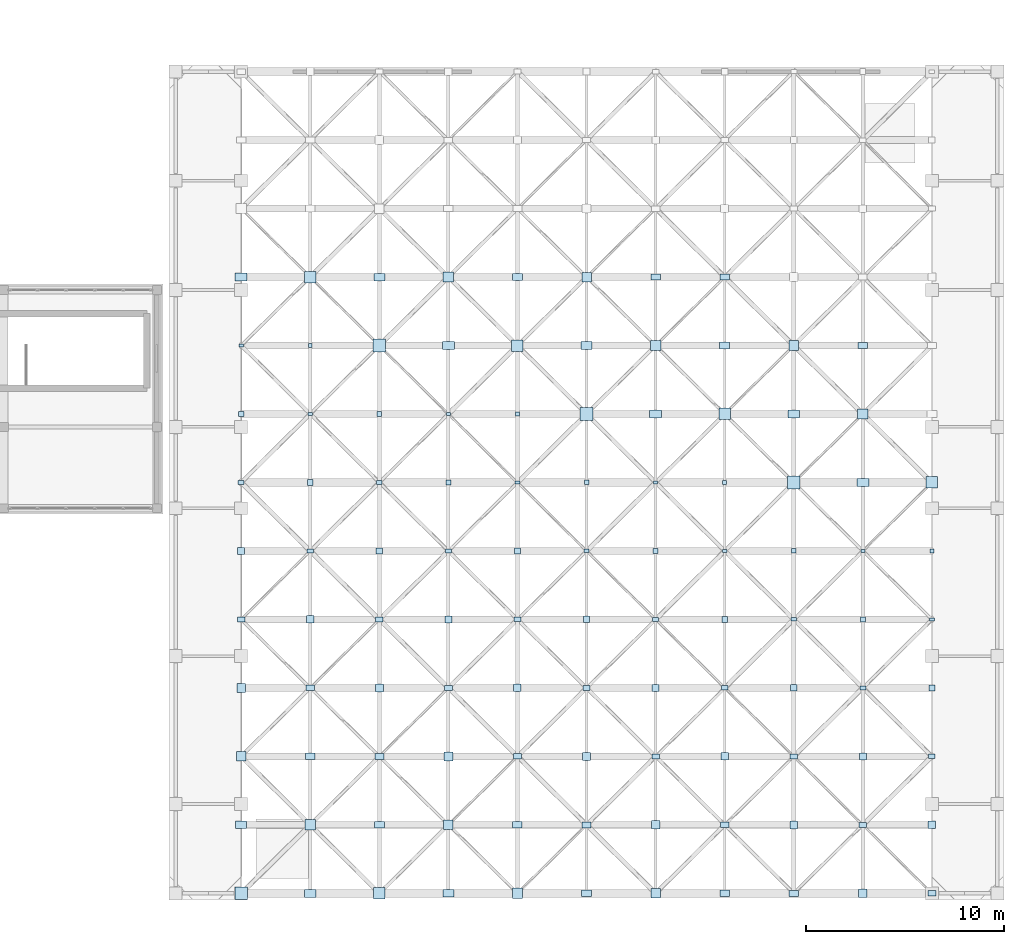
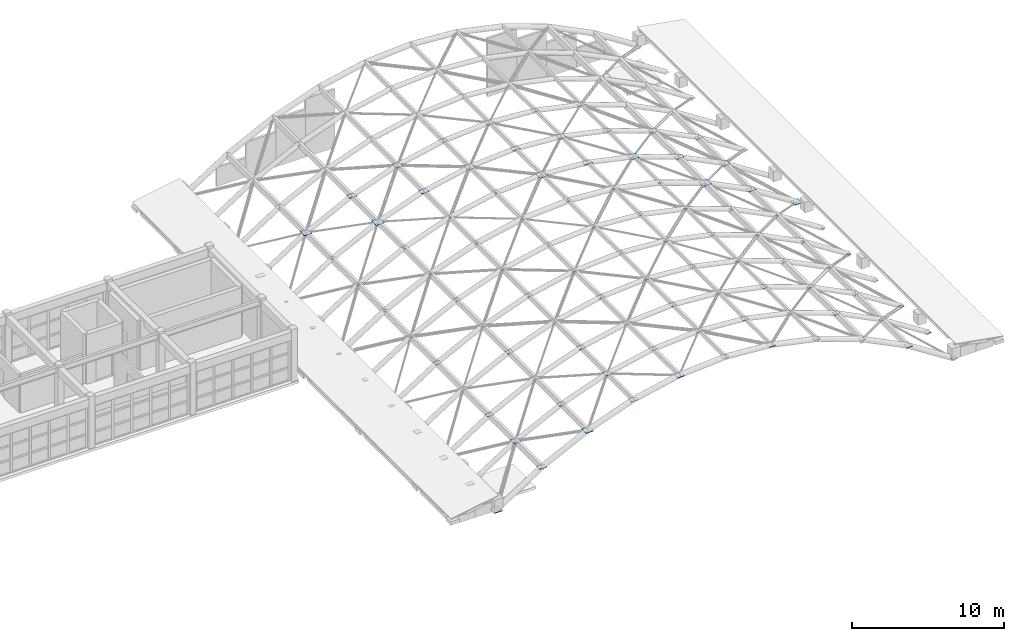
# One storey, part 44 of 52: 105 plates.
"""IFC4 building model written with IfcOpenShell, lengths in metres."""

from ifc_helpers import new_model, si_unit, direction, frame, origin, origin_2d, place, context, subcontext, project, spatial, rectangle, extrude, material, layer, layer_set, type_object, element, save


model = new_model("IFC4")

# Units and contexts
model_context = context("Model", 3, precision=1e-05, world=origin(), true_north=direction((0.0, 1.0)))
body_context = subcontext(model_context, "Body", "Model", "MODEL_VIEW")
ifc_project = project(units=[si_unit("LENGTHUNIT", "METRE"), si_unit("AREAUNIT", "SQUARE_METRE"), si_unit("VOLUMEUNIT", "CUBIC_METRE"), si_unit("PLANEANGLEUNIT", "RADIAN"), si_unit("MASSUNIT", "GRAM", prefix="KILO")], contexts=[model_context])

# Site, building, storey
site_placement = place(None, origin())
site = spatial("IfcSite", under=ifc_project, at=site_placement, CompositionType="ELEMENT")
building_placement = place(site_placement, origin())
building = spatial("IfcBuilding", under=site, at=building_placement, Name="Candilejo Ridge Gondola Terminal", CompositionType="ELEMENT")
storey_placement = place(building_placement, frame((0.0, 0.0, 18.60009765625)))
storey = spatial("IfcBuildingStorey", under=building, at=storey_placement, Name="L04", CompositionType="ELEMENT", Elevation=18.60009765625)

# Plates
ifc_material_1 = material(Name="Steel ASTM A572 Grade 50", Category="steel")
ifc_layer_1 = layer(ifc_material_1, 0.011962890625)
ifc_layer_set_1 = layer_set([ifc_layer_1], Name="STR-NODE-PLATE-200X200X12")
plate_type_1 = type_object("IfcPlateType", Name="STR-NODE-PLATE-200X200X12", PredefinedType="USERDEFINED", material=ifc_layer_set_1)
for number, where, z_axis, x_axis, name in (
    (1, (172.0, 23.550048828125, -0.2060546875), (0.0, 0.0, 1.0), (1.0, 0.0, 0.0), "Diagrid steel node cap plate 090"),
    (2, (161.56005859375, 27.0, 5.001953125), (0.0, 0.0, 1.0), (1.0, 0.0, 0.0), "Diagrid steel node cap plate 098"),
    (3, (151.1201171875, 30.449951171875, 5.74609375), (0.0, 0.0, 1.0), (1.0, 0.0, 0.0), "Diagrid steel node cap plate 106"),
    (4, (140.679931640625, 33.89990234375, 2.02587890625), (0.0, 0.0, 1.0), (1.0, 0.0, 0.0), "Diagrid steel node cap plate 114"),
):
    element("IfcPlate", number, at=place(storey_placement, frame(where, z_axis=z_axis, x_axis=x_axis)), inside=storey, type_object=plate_type_1, Name=name, ObjectType="NODE PLATE", PredefinedType="USERDEFINED", context=body_context, shape_type="SweptSolid", body=[
        extrude(rectangle(XDim=0.199951171875, YDim=0.199951171875, at=origin_2d()), origin(), (0.0, 0.0, 1.0), 0.011962890625),
    ])
ifc_material_2 = material(Name="Steel ASTM A572 Grade 50", Category="steel")
ifc_layer_2 = layer(ifc_material_2, 0.011962890625)
ifc_layer_set_2 = layer_set([ifc_layer_2], Name="STR-NODE-PLATE-210X140X12")
plate_type_2 = type_object("IfcPlateType", Name="STR-NODE-PLATE-210X140X12", PredefinedType="USERDEFINED", material=ifc_layer_set_2)
for number, where, z_axis, x_axis, name in (
    (5, (168.52001953125, 23.550048828125, 2.02587890625), (0.0, 0.0, 1.0), (1.0, 0.0, 0.0), "Diagrid steel node cap plate 089"),
    (6, (158.080078125, 27.0, 5.74609375), (0.0, 0.0, 1.0), (1.0, 0.0, 0.0), "Diagrid steel node cap plate 097"),
    (7, (147.639892578125, 30.449951171875, 5.001953125), (0.0, 0.0, 1.0), (1.0, 0.0, 0.0), "Diagrid steel node cap plate 105"),
    (8, (137.199951171875, 33.89990234375, -0.2060546875), (0.0, 0.0, 1.0), (1.0, 0.0, 0.0), "Diagrid steel node cap plate 113"),
):
    element("IfcPlate", number, at=place(storey_placement, frame(where, z_axis=z_axis, x_axis=x_axis)), inside=storey, type_object=plate_type_2, Name=name, ObjectType="NODE PLATE", PredefinedType="USERDEFINED", context=body_context, shape_type="SweptSolid", body=[
        extrude(rectangle(XDim=0.2099609375, YDim=0.139892578125, at=origin_2d()), origin(), (0.0, 0.0, 1.0), 0.011962890625),
    ])
ifc_material_3 = material(Name="Steel ASTM A572 Grade 50", Category="steel")
ifc_layer_3 = layer(ifc_material_3, 0.013916015625)
ifc_layer_set_3 = layer_set([ifc_layer_3], Name="STR-NODE-PLATE-230X230X14")
plate_type_3 = type_object("IfcPlateType", Name="STR-NODE-PLATE-230X230X14", PredefinedType="USERDEFINED", material=ifc_layer_set_3)
for number, where, z_axis, x_axis, name in (
    (9, (165.0400390625, 23.550048828125, 3.7607421875), (0.0, 0.0, 1.0), (1.0, 0.0, 0.0), "Diagrid steel node cap plate 088"),
    (10, (154.60009765625, 27.0, 5.9931640625), (0.0, 0.0, 1.0), (1.0, 0.0, 0.0), "Diagrid steel node cap plate 096"),
    (11, (144.159912109375, 30.449951171875, 3.7607421875), (0.0, 0.0, 1.0), (1.0, 0.0, 0.0), "Diagrid steel node cap plate 104"),
):
    element("IfcPlate", number, at=place(storey_placement, frame(where, z_axis=z_axis, x_axis=x_axis)), inside=storey, type_object=plate_type_3, Name=name, ObjectType="NODE PLATE", PredefinedType="USERDEFINED", context=body_context, shape_type="SweptSolid", body=[
        extrude(rectangle(XDim=0.22998046875, YDim=0.22998046875, at=origin_2d()), origin(), (0.0, 0.0, 1.0), 0.013916015625),
    ])
ifc_material_4 = material(Name="Steel ASTM A572 Grade 50", Category="steel")
ifc_layer_4 = layer(ifc_material_4, 0.013916015625)
ifc_layer_set_4 = layer_set([ifc_layer_4], Name="STR-NODE-PLATE-240X160X14")
plate_type_4 = type_object("IfcPlateType", Name="STR-NODE-PLATE-240X160X14", PredefinedType="USERDEFINED", material=ifc_layer_set_4)
for number, where, z_axis, x_axis, name in (
    (12, (172.0, 20.10009765625, -0.20703125), (0.0, 0.0, 1.0), (1.0, 0.0, 0.0), "Diagrid steel node cap plate 079"),
    (13, (161.56005859375, 23.550048828125, 5.0009765625), (0.0, 0.0, 1.0), (1.0, 0.0, 0.0), "Diagrid steel node cap plate 087"),
    (14, (151.1201171875, 27.0, 5.7451171875), (0.0, 0.0, 1.0), (1.0, 0.0, 0.0), "Diagrid steel node cap plate 095"),
    (15, (140.679931640625, 30.449951171875, 2.02490234375), (0.0, 0.0, 1.0), (1.0, 0.0, 0.0), "Diagrid steel node cap plate 103"),
):
    element("IfcPlate", number, at=place(storey_placement, frame(where, z_axis=z_axis, x_axis=x_axis)), inside=storey, type_object=plate_type_4, Name=name, ObjectType="NODE PLATE", PredefinedType="USERDEFINED", context=body_context, shape_type="SweptSolid", body=[
        extrude(rectangle(XDim=0.239990234375, YDim=0.159912109375, at=origin_2d()), origin(), (0.0, 0.0, 1.0), 0.013916015625),
    ])
ifc_material_5 = material(Name="Steel ASTM A572 Grade 50", Category="steel")
ifc_layer_5 = layer(ifc_material_5, 0.01611328125)
ifc_layer_set_5 = layer_set([ifc_layer_5], Name="STR-NODE-PLATE-260X260X16")
plate_type_5 = type_object("IfcPlateType", Name="STR-NODE-PLATE-260X260X16", PredefinedType="USERDEFINED", material=ifc_layer_set_5)
for number, where, z_axis, x_axis, name in (
    (16, (168.52001953125, 20.10009765625, 2.02392578125), (0.0, 0.0, 1.0), (1.0, 0.0, 0.0), "Diagrid steel node cap plate 078"),
    (17, (158.080078125, 23.550048828125, 5.743896484375), (0.0, 0.0, 1.0), (1.0, 0.0, 0.0), "Diagrid steel node cap plate 086"),
    (18, (147.639892578125, 27.0, 4.999755859375), (0.0, 0.0, 1.0), (1.0, 0.0, 0.0), "Diagrid steel node cap plate 094"),
    (19, (137.199951171875, 30.449951171875, -0.208251953125), (0.0, 0.0, 1.0), (1.0, 0.0, 0.0), "Diagrid steel node cap plate 102"),
):
    element("IfcPlate", number, at=place(storey_placement, frame(where, z_axis=z_axis, x_axis=x_axis)), inside=storey, type_object=plate_type_5, Name=name, ObjectType="NODE PLATE", PredefinedType="USERDEFINED", context=body_context, shape_type="SweptSolid", body=[
        extrude(rectangle(XDim=0.260009765625, YDim=0.260009765625, at=origin_2d()), origin(), (0.0, 0.0, 1.0), 0.01611328125),
    ])
ifc_material_6 = material(Name="Steel ASTM A572 Grade 50", Category="steel")
ifc_layer_6 = layer(ifc_material_6, 0.01611328125)
ifc_layer_set_6 = layer_set([ifc_layer_6], Name="STR-NODE-PLATE-270X180X16")
plate_type_6 = type_object("IfcPlateType", Name="STR-NODE-PLATE-270X180X16", PredefinedType="USERDEFINED", material=ifc_layer_set_6)
for number, where, z_axis, x_axis, name in (
    (20, (165.0400390625, 20.10009765625, 3.759765625), (0.0, 0.0, 1.0), (1.0, 0.0, 0.0), "Diagrid steel node cap plate 077"),
    (21, (154.60009765625, 23.550048828125, 5.991943359375), (0.0, 0.0, 1.0), (1.0, 0.0, 0.0), "Diagrid steel node cap plate 085"),
    (22, (144.159912109375, 27.0, 3.759765625), (0.0, 0.0, 1.0), (1.0, 0.0, 0.0), "Diagrid steel node cap plate 093"),
):
    element("IfcPlate", number, at=place(storey_placement, frame(where, z_axis=z_axis, x_axis=x_axis)), inside=storey, type_object=plate_type_6, Name=name, ObjectType="NODE PLATE", PredefinedType="USERDEFINED", context=body_context, shape_type="SweptSolid", body=[
        extrude(rectangle(XDim=0.27001953125, YDim=0.179931640625, at=origin_2d()), origin(), (0.0, 0.0, 1.0), 0.01611328125),
    ])
ifc_material_7 = material(Name="Steel ASTM A572 Grade 50", Category="steel")
ifc_layer_7 = layer(ifc_material_7, 0.01611328125)
ifc_layer_set_7 = layer_set([ifc_layer_7], Name="STR-NODE-PLATE-290X290X16")
plate_type_7 = type_object("IfcPlateType", Name="STR-NODE-PLATE-290X290X16", PredefinedType="USERDEFINED", material=ifc_layer_set_7)
for number, where, z_axis, x_axis, name in (
    (23, (172.0, 16.64990234375, -0.208251953125), (0.0, 0.0, 1.0), (1.0, 0.0, 0.0), "Diagrid steel node cap plate 068"),
    (24, (161.56005859375, 20.10009765625, 4.999755859375), (0.0, 0.0, 1.0), (1.0, 0.0, 0.0), "Diagrid steel node cap plate 076"),
    (25, (151.1201171875, 23.550048828125, 5.743896484375), (0.0, 0.0, 1.0), (1.0, 0.0, 0.0), "Diagrid steel node cap plate 084"),
    (26, (140.679931640625, 27.0, 2.02392578125), (0.0, 0.0, 1.0), (1.0, 0.0, 0.0), "Diagrid steel node cap plate 092"),
):
    element("IfcPlate", number, at=place(storey_placement, frame(where, z_axis=z_axis, x_axis=x_axis)), inside=storey, type_object=plate_type_7, Name=name, ObjectType="NODE PLATE", PredefinedType="USERDEFINED", context=body_context, shape_type="SweptSolid", body=[
        extrude(rectangle(XDim=0.2900390625, YDim=0.2900390625, at=origin_2d()), origin(), (0.0, 0.0, 1.0), 0.01611328125),
    ])
ifc_material_8 = material(Name="Steel ASTM A572 Grade 50", Category="steel")
ifc_layer_8 = layer(ifc_material_8, 0.01611328125)
ifc_layer_set_8 = layer_set([ifc_layer_8], Name="STR-NODE-PLATE-300X200X16")
plate_type_8 = type_object("IfcPlateType", Name="STR-NODE-PLATE-300X200X16", PredefinedType="USERDEFINED", material=ifc_layer_set_8)
for number, where, z_axis, x_axis, name in (
    (27, (168.52001953125, 16.64990234375, 2.02392578125), (0.0, 0.0, 1.0), (1.0, 0.0, 0.0), "Diagrid steel node cap plate 067"),
    (28, (158.080078125, 20.10009765625, 5.743896484375), (0.0, 0.0, 1.0), (1.0, 0.0, 0.0), "Diagrid steel node cap plate 075"),
    (29, (147.639892578125, 23.550048828125, 4.999755859375), (0.0, 0.0, 1.0), (1.0, 0.0, 0.0), "Diagrid steel node cap plate 083"),
    (30, (137.199951171875, 27.0, -0.208251953125), (0.0, 0.0, 1.0), (1.0, 0.0, 0.0), "Diagrid steel node cap plate 091"),
):
    element("IfcPlate", number, at=place(storey_placement, frame(where, z_axis=z_axis, x_axis=x_axis)), inside=storey, type_object=plate_type_8, Name=name, ObjectType="NODE PLATE", PredefinedType="USERDEFINED", context=body_context, shape_type="SweptSolid", body=[
        extrude(rectangle(XDim=0.300048828125, YDim=0.199951171875, at=origin_2d()), origin(), (0.0, 0.0, 1.0), 0.01611328125),
    ])
ifc_material_9 = material(Name="Steel ASTM A572 Grade 50", Category="steel")
ifc_layer_9 = layer(ifc_material_9, 0.01806640625)
ifc_layer_set_9 = layer_set([ifc_layer_9], Name="STR-NODE-PLATE-320X320X18")
plate_type_9 = type_object("IfcPlateType", Name="STR-NODE-PLATE-320X320X18", PredefinedType="USERDEFINED", material=ifc_layer_set_9)
for number, where, z_axis, x_axis, name in (
    (31, (165.0400390625, 16.64990234375, 3.7587890625), (0.0, 0.0, 1.0), (1.0, 0.0, 0.0), "Diagrid steel node cap plate 066"),
    (32, (154.60009765625, 20.10009765625, 5.990966796875), (0.0, 0.0, 1.0), (1.0, 0.0, 0.0), "Diagrid steel node cap plate 074"),
    (33, (144.159912109375, 23.550048828125, 3.7587890625), (0.0, 0.0, 1.0), (1.0, 0.0, 0.0), "Diagrid steel node cap plate 082"),
):
    element("IfcPlate", number, at=place(storey_placement, frame(where, z_axis=z_axis, x_axis=x_axis)), inside=storey, type_object=plate_type_9, Name=name, ObjectType="NODE PLATE", PredefinedType="USERDEFINED", context=body_context, shape_type="SweptSolid", body=[
        extrude(rectangle(XDim=0.320068359375, YDim=0.320068359375, at=origin_2d()), origin(), (0.0, 0.0, 1.0), 0.01806640625),
    ])
ifc_material_10 = material(Name="Steel ASTM A572 Grade 50", Category="steel")
ifc_layer_10 = layer(ifc_material_10, 0.01806640625)
ifc_layer_set_10 = layer_set([ifc_layer_10], Name="STR-NODE-PLATE-330X220X18")
plate_type_10 = type_object("IfcPlateType", Name="STR-NODE-PLATE-330X220X18", PredefinedType="USERDEFINED", material=ifc_layer_set_10)
for number, where, z_axis, x_axis, name in (
    (34, (172.0, 13.199951171875, -0.209228515625), (0.0, 0.0, 1.0), (1.0, 0.0, 0.0), "Diagrid steel node cap plate 057"),
    (35, (161.56005859375, 16.64990234375, 4.998779296875), (0.0, 0.0, 1.0), (1.0, 0.0, 0.0), "Diagrid steel node cap plate 065"),
    (36, (151.1201171875, 20.10009765625, 5.742919921875), (0.0, 0.0, 1.0), (1.0, 0.0, 0.0), "Diagrid steel node cap plate 073"),
    (37, (140.679931640625, 23.550048828125, 2.02294921875), (0.0, 0.0, 1.0), (1.0, 0.0, 0.0), "Diagrid steel node cap plate 081"),
):
    element("IfcPlate", number, at=place(storey_placement, frame(where, z_axis=z_axis, x_axis=x_axis)), inside=storey, type_object=plate_type_10, Name=name, ObjectType="NODE PLATE", PredefinedType="USERDEFINED", context=body_context, shape_type="SweptSolid", body=[
        extrude(rectangle(XDim=0.330078125, YDim=0.219970703125, at=origin_2d()), origin(), (0.0, 0.0, 1.0), 0.01806640625),
    ])
ifc_material_11 = material(Name="Steel ASTM A572 Grade 50", Category="steel")
ifc_layer_11 = layer(ifc_material_11, 0.01806640625)
ifc_layer_set_11 = layer_set([ifc_layer_11], Name="STR-NODE-PLATE-350X350X18")
plate_type_11 = type_object("IfcPlateType", Name="STR-NODE-PLATE-350X350X18", PredefinedType="USERDEFINED", material=ifc_layer_set_11)
for number, where, z_axis, x_axis, name in (
    (38, (168.52001953125, 13.199951171875, 2.02294921875), (0.0, 0.0, 1.0), (1.0, 0.0, 0.0), "Diagrid steel node cap plate 056"),
    (39, (158.080078125, 16.64990234375, 5.742919921875), (0.0, 0.0, 1.0), (1.0, 0.0, 0.0), "Diagrid steel node cap plate 064"),
    (40, (147.639892578125, 20.10009765625, 4.998779296875), (0.0, 0.0, 1.0), (1.0, 0.0, 0.0), "Diagrid steel node cap plate 072"),
    (41, (137.199951171875, 23.550048828125, -0.209228515625), (0.0, 0.0, 1.0), (1.0, 0.0, 0.0), "Diagrid steel node cap plate 080"),
):
    element("IfcPlate", number, at=place(storey_placement, frame(where, z_axis=z_axis, x_axis=x_axis)), inside=storey, type_object=plate_type_11, Name=name, ObjectType="NODE PLATE", PredefinedType="USERDEFINED", context=body_context, shape_type="SweptSolid", body=[
        extrude(rectangle(XDim=0.35009765625, YDim=0.35009765625, at=origin_2d()), origin(), (0.0, 0.0, 1.0), 0.01806640625),
    ])
ifc_material_12 = material(Name="Steel ASTM A572 Grade 50", Category="steel")
ifc_layer_12 = layer(ifc_material_12, 0.02001953125)
ifc_layer_set_12 = layer_set([ifc_layer_12], Name="STR-NODE-PLATE-360X240X20")
plate_type_12 = type_object("IfcPlateType", Name="STR-NODE-PLATE-360X240X20", PredefinedType="USERDEFINED", material=ifc_layer_set_12)
for number, where, z_axis, x_axis, name in (
    (42, (165.0400390625, 13.199951171875, 3.7578125), (0.0, 0.0, 1.0), (1.0, 0.0, 0.0), "Diagrid steel node cap plate 055"),
    (43, (154.60009765625, 16.64990234375, 5.989990234375), (0.0, 0.0, 1.0), (1.0, 0.0, 0.0), "Diagrid steel node cap plate 063"),
    (44, (144.159912109375, 20.10009765625, 3.7578125), (0.0, 0.0, 1.0), (1.0, 0.0, 0.0), "Diagrid steel node cap plate 071"),
):
    element("IfcPlate", number, at=place(storey_placement, frame(where, z_axis=z_axis, x_axis=x_axis)), inside=storey, type_object=plate_type_12, Name=name, ObjectType="NODE PLATE", PredefinedType="USERDEFINED", context=body_context, shape_type="SweptSolid", body=[
        extrude(rectangle(XDim=0.360107421875, YDim=0.239990234375, at=origin_2d()), origin(), (0.0, 0.0, 1.0), 0.02001953125),
    ])
ifc_material_13 = material(Name="Steel ASTM A572 Grade 50", Category="steel")
ifc_layer_13 = layer(ifc_material_13, 0.02001953125)
ifc_layer_set_13 = layer_set([ifc_layer_13], Name="STR-NODE-PLATE-380X380X20")
plate_type_13 = type_object("IfcPlateType", Name="STR-NODE-PLATE-380X380X20", PredefinedType="USERDEFINED", material=ifc_layer_set_13)
for number, where, z_axis, x_axis, name in (
    (45, (172.0, 9.75, -0.210205078125), (0.0, 0.0, 1.0), (1.0, 0.0, 0.0), "Diagrid steel node cap plate 046"),
    (46, (161.56005859375, 13.199951171875, 4.997802734375), (0.0, 0.0, 1.0), (1.0, 0.0, 0.0), "Diagrid steel node cap plate 054"),
    (47, (151.1201171875, 16.64990234375, 5.741943359375), (0.0, 0.0, 1.0), (1.0, 0.0, 0.0), "Diagrid steel node cap plate 062"),
    (48, (140.679931640625, 20.10009765625, 2.02197265625), (0.0, 0.0, 1.0), (1.0, 0.0, 0.0), "Diagrid steel node cap plate 070"),
):
    element("IfcPlate", number, at=place(storey_placement, frame(where, z_axis=z_axis, x_axis=x_axis)), inside=storey, type_object=plate_type_13, Name=name, ObjectType="NODE PLATE", PredefinedType="USERDEFINED", context=body_context, shape_type="SweptSolid", body=[
        extrude(rectangle(XDim=0.3798828125, YDim=0.3798828125, at=origin_2d()), origin(), (0.0, 0.0, 1.0), 0.02001953125),
    ])
ifc_material_14 = material(Name="Steel ASTM A572 Grade 50", Category="steel")
ifc_layer_14 = layer(ifc_material_14, 0.02001953125)
ifc_layer_set_14 = layer_set([ifc_layer_14], Name="STR-NODE-PLATE-390X260X20")
plate_type_14 = type_object("IfcPlateType", Name="STR-NODE-PLATE-390X260X20", PredefinedType="USERDEFINED", material=ifc_layer_set_14)
for number, where, z_axis, x_axis, name in (
    (49, (168.52001953125, 9.75, 2.02197265625), (0.0, 0.0, 1.0), (1.0, 0.0, 0.0), "Diagrid steel node cap plate 045"),
    (50, (158.080078125, 13.199951171875, 5.741943359375), (0.0, 0.0, 1.0), (1.0, 0.0, 0.0), "Diagrid steel node cap plate 053"),
    (51, (147.639892578125, 16.64990234375, 4.997802734375), (0.0, 0.0, 1.0), (1.0, 0.0, 0.0), "Diagrid steel node cap plate 061"),
    (52, (137.199951171875, 20.10009765625, -0.210205078125), (0.0, 0.0, 1.0), (1.0, 0.0, 0.0), "Diagrid steel node cap plate 069"),
):
    element("IfcPlate", number, at=place(storey_placement, frame(where, z_axis=z_axis, x_axis=x_axis)), inside=storey, type_object=plate_type_14, Name=name, ObjectType="NODE PLATE", PredefinedType="USERDEFINED", context=body_context, shape_type="SweptSolid", body=[
        extrude(rectangle(XDim=0.389892578125, YDim=0.260009765625, at=origin_2d()), origin(), (0.0, 0.0, 1.0), 0.02001953125),
    ])
ifc_material_15 = material(Name="Steel ASTM A572 Grade 50", Category="steel")
ifc_layer_15 = layer(ifc_material_15, 0.02197265625)
ifc_layer_set_15 = layer_set([ifc_layer_15], Name="STR-NODE-PLATE-400X400X22")
plate_type_15 = type_object("IfcPlateType", Name="STR-NODE-PLATE-400X400X22", PredefinedType="USERDEFINED", material=ifc_layer_set_15)
for number, where, z_axis, x_axis, name in (
    (53, (165.0400390625, 9.75, 3.7568359375), (0.0, 0.0, 1.0), (1.0, 0.0, 0.0), "Diagrid steel node cap plate 044"),
    (54, (154.60009765625, 13.199951171875, 5.989013671875), (0.0, 0.0, 1.0), (1.0, 0.0, 0.0), "Diagrid steel node cap plate 052"),
    (55, (144.159912109375, 16.64990234375, 3.7568359375), (0.0, 0.0, 1.0), (1.0, 0.0, 0.0), "Diagrid steel node cap plate 060"),
):
    element("IfcPlate", number, at=place(storey_placement, frame(where, z_axis=z_axis, x_axis=x_axis)), inside=storey, type_object=plate_type_15, Name=name, ObjectType="NODE PLATE", PredefinedType="USERDEFINED", context=body_context, shape_type="SweptSolid", body=[
        extrude(rectangle(XDim=0.39990234375, YDim=0.39990234375, at=origin_2d()), origin(), (0.0, 0.0, 1.0), 0.02197265625),
    ])
ifc_material_16 = material(Name="Steel ASTM A572 Grade 50", Category="steel")
ifc_layer_16 = layer(ifc_material_16, 0.02197265625)
ifc_layer_set_16 = layer_set([ifc_layer_16], Name="STR-NODE-PLATE-420X280X22")
plate_type_16 = type_object("IfcPlateType", Name="STR-NODE-PLATE-420X280X22", PredefinedType="USERDEFINED", material=ifc_layer_set_16)
for number, where, z_axis, x_axis, name in (
    (56, (172.0, 6.300048828125, -0.211181640625), (0.0, 0.0, 1.0), (1.0, 0.0, 0.0), "Diagrid steel node cap plate 035"),
    (57, (161.56005859375, 9.75, 4.996826171875), (0.0, 0.0, 1.0), (1.0, 0.0, 0.0), "Diagrid steel node cap plate 043"),
    (58, (151.1201171875, 13.199951171875, 5.740966796875), (0.0, 0.0, 1.0), (1.0, 0.0, 0.0), "Diagrid steel node cap plate 051"),
    (59, (140.679931640625, 16.64990234375, 2.02099609375), (0.0, 0.0, 1.0), (1.0, 0.0, 0.0), "Diagrid steel node cap plate 059"),
):
    element("IfcPlate", number, at=place(storey_placement, frame(where, z_axis=z_axis, x_axis=x_axis)), inside=storey, type_object=plate_type_16, Name=name, ObjectType="NODE PLATE", PredefinedType="USERDEFINED", context=body_context, shape_type="SweptSolid", body=[
        extrude(rectangle(XDim=0.419921875, YDim=0.280029296875, at=origin_2d()), origin(), (0.0, 0.0, 1.0), 0.02197265625),
    ])
ifc_material_17 = material(Name="Steel ASTM A572 Grade 50", Category="steel")
ifc_layer_17 = layer(ifc_material_17, 0.02392578125)
ifc_layer_set_17 = layer_set([ifc_layer_17], Name="STR-NODE-PLATE-440X440X24")
plate_type_17 = type_object("IfcPlateType", Name="STR-NODE-PLATE-440X440X24", PredefinedType="USERDEFINED", material=ifc_layer_set_17)
for number, where, z_axis, x_axis, name in (
    (60, (168.52001953125, 6.300048828125, 2.02001953125), (0.0, 0.0, 1.0), (1.0, 0.0, 0.0), "Diagrid steel node cap plate 034"),
    (61, (158.080078125, 9.75, 5.739990234375), (0.0, 0.0, 1.0), (1.0, 0.0, 0.0), "Diagrid steel node cap plate 042"),
    (62, (147.639892578125, 13.199951171875, 4.995849609375), (0.0, 0.0, 1.0), (1.0, 0.0, 0.0), "Diagrid steel node cap plate 050"),
    (63, (137.199951171875, 16.64990234375, -0.212158203125), (0.0, 0.0, 1.0), (1.0, 0.0, 0.0), "Diagrid steel node cap plate 058"),
):
    element("IfcPlate", number, at=place(storey_placement, frame(where, z_axis=z_axis, x_axis=x_axis)), inside=storey, type_object=plate_type_17, Name=name, ObjectType="NODE PLATE", PredefinedType="USERDEFINED", context=body_context, shape_type="SweptSolid", body=[
        extrude(rectangle(XDim=0.43994140625, YDim=0.43994140625, at=origin_2d()), origin(), (0.0, 0.0, 1.0), 0.02392578125),
    ])
ifc_material_18 = material(Name="Steel ASTM A572 Grade 50", Category="steel")
ifc_layer_18 = layer(ifc_material_18, 0.02392578125)
ifc_layer_set_18 = layer_set([ifc_layer_18], Name="STR-NODE-PLATE-460X300X24")
plate_type_18 = type_object("IfcPlateType", Name="STR-NODE-PLATE-460X300X24", PredefinedType="USERDEFINED", material=ifc_layer_set_18)
for number, where, z_axis, x_axis, name in (
    (64, (165.0400390625, 6.300048828125, 3.755859375), (0.0, 0.0, 1.0), (1.0, 0.0, 0.0), "Diagrid steel node cap plate 033"),
    (65, (154.60009765625, 9.75, 5.988037109375), (0.0, 0.0, 1.0), (1.0, 0.0, 0.0), "Diagrid steel node cap plate 041"),
    (66, (144.159912109375, 13.199951171875, 3.755859375), (0.0, 0.0, 1.0), (1.0, 0.0, 0.0), "Diagrid steel node cap plate 049"),
    (67, (161.56005859375, 37.35009765625, 4.995849609375), (0.0, 0.0, 1.0), (1.0, 0.0, 0.0), "Diagrid steel node cap plate 131"),
):
    element("IfcPlate", number, at=place(storey_placement, frame(where, z_axis=z_axis, x_axis=x_axis)), inside=storey, type_object=plate_type_18, Name=name, ObjectType="NODE PLATE", PredefinedType="USERDEFINED", context=body_context, shape_type="SweptSolid", body=[
        extrude(rectangle(XDim=0.4599609375, YDim=0.300048828125, at=origin_2d()), origin(), (0.0, 0.0, 1.0), 0.02392578125),
    ])
ifc_material_19 = material(Name="Steel ASTM A572 Grade 50", Category="steel")
ifc_layer_19 = layer(ifc_material_19, 0.02490234375)
ifc_layer_set_19 = layer_set([ifc_layer_19], Name="STR-NODE-PLATE-480X320X25")
plate_type_19 = type_object("IfcPlateType", Name="STR-NODE-PLATE-480X320X25", PredefinedType="USERDEFINED", material=ifc_layer_set_19)
for number, where, z_axis, x_axis, name in (
    (68, (161.56005859375, 6.300048828125, 4.995361328125), (0.0, 0.0, 1.0), (1.0, 0.0, 0.0), "Diagrid steel node cap plate 032"),
    (69, (151.1201171875, 9.75, 5.739501953125), (0.0, 0.0, 1.0), (1.0, 0.0, 0.0), "Diagrid steel node cap plate 040"),
    (70, (140.679931640625, 13.199951171875, 2.01953125), (0.0, 0.0, 1.0), (1.0, 0.0, 0.0), "Diagrid steel node cap plate 048"),
    (71, (168.52001953125, 33.89990234375, 2.01953125), (0.0, 0.0, 1.0), (1.0, 0.0, 0.0), "Diagrid steel node cap plate 122"),
    (72, (158.080078125, 37.35009765625, 5.739501953125), (0.0, 0.0, 1.0), (1.0, 0.0, 0.0), "Diagrid steel node cap plate 130"),
):
    element("IfcPlate", number, at=place(storey_placement, frame(where, z_axis=z_axis, x_axis=x_axis)), inside=storey, type_object=plate_type_19, Name=name, ObjectType="NODE PLATE", PredefinedType="USERDEFINED", context=body_context, shape_type="SweptSolid", body=[
        extrude(rectangle(XDim=0.47998046875, YDim=0.320068359375, at=origin_2d()), origin(), (0.0, 0.0, 1.0), 0.02490234375),
    ])
ifc_material_20 = material(Name="Steel ASTM A572 Grade 50", Category="steel")
ifc_layer_20 = layer(ifc_material_20, 0.02587890625)
ifc_layer_set_20 = layer_set([ifc_layer_20], Name="STR-NODE-PLATE-480X480X26")
plate_type_20 = type_object("IfcPlateType", Name="STR-NODE-PLATE-480X480X26", PredefinedType="USERDEFINED", material=ifc_layer_set_20)
for number, where, z_axis, x_axis, name in (
    (73, (158.080078125, 6.300048828125, 5.739013671875), (0.0, 0.0, 1.0), (1.0, 0.0, 0.0), "Diagrid steel node cap plate 031"),
    (74, (147.639892578125, 9.75, 4.994873046875), (0.0, 0.0, 1.0), (1.0, 0.0, 0.0), "Diagrid steel node cap plate 039"),
    (75, (137.199951171875, 13.199951171875, -0.213134765625), (0.0, 0.0, 1.0), (1.0, 0.0, 0.0), "Diagrid steel node cap plate 047"),
    (76, (165.0400390625, 33.89990234375, 3.7548828125), (0.0, 0.0, 1.0), (1.0, 0.0, 0.0), "Diagrid steel node cap plate 121"),
    (77, (154.60009765625, 37.35009765625, 5.987060546875), (0.0, 0.0, 1.0), (1.0, 0.0, 0.0), "Diagrid steel node cap plate 129"),
):
    element("IfcPlate", number, at=place(storey_placement, frame(where, z_axis=z_axis, x_axis=x_axis)), inside=storey, type_object=plate_type_20, Name=name, ObjectType="NODE PLATE", PredefinedType="USERDEFINED", context=body_context, shape_type="SweptSolid", body=[
        extrude(rectangle(XDim=0.47998046875, YDim=0.47998046875, at=origin_2d()), origin(), (0.0, 0.0, 1.0), 0.02587890625),
    ])
ifc_material_21 = material(Name="Steel ASTM A572 Grade 50", Category="steel")
ifc_layer_21 = layer(ifc_material_21, 0.02587890625)
ifc_layer_set_21 = layer_set([ifc_layer_21], Name="STR-NODE-PLATE-500X340X26")
plate_type_21 = type_object("IfcPlateType", Name="STR-NODE-PLATE-500X340X26", PredefinedType="USERDEFINED", material=ifc_layer_set_21)
for number, where, z_axis, x_axis, name in (
    (78, (154.60009765625, 6.300048828125, 5.987060546875), (0.0, 0.0, 1.0), (1.0, 0.0, 0.0), "Diagrid steel node cap plate 030"),
    (79, (144.159912109375, 9.75, 3.7548828125), (0.0, 0.0, 1.0), (1.0, 0.0, 0.0), "Diagrid steel node cap plate 038"),
    (80, (161.56005859375, 33.89990234375, 4.994873046875), (0.0, 0.0, 1.0), (1.0, 0.0, 0.0), "Diagrid steel node cap plate 120"),
    (81, (151.1201171875, 37.35009765625, 5.739013671875), (0.0, 0.0, 1.0), (1.0, 0.0, 0.0), "Diagrid steel node cap plate 128"),
):
    element("IfcPlate", number, at=place(storey_placement, frame(where, z_axis=z_axis, x_axis=x_axis)), inside=storey, type_object=plate_type_21, Name=name, ObjectType="NODE PLATE", PredefinedType="USERDEFINED", context=body_context, shape_type="SweptSolid", body=[
        extrude(rectangle(XDim=0.5, YDim=0.340087890625, at=origin_2d()), origin(), (0.0, 0.0, 1.0), 0.02587890625),
    ])
ifc_material_22 = material(Name="Steel ASTM A572 Grade 50", Category="steel")
ifc_layer_22 = layer(ifc_material_22, 0.028076171875)
ifc_layer_set_22 = layer_set([ifc_layer_22], Name="STR-NODE-PLATE-520X520X28")
plate_type_22 = type_object("IfcPlateType", Name="STR-NODE-PLATE-520X520X28", PredefinedType="USERDEFINED", material=ifc_layer_set_22)
for number, where, z_axis, x_axis, name in (
    (82, (151.1201171875, 6.300048828125, 5.73779296875), (0.0, 0.0, 1.0), (1.0, 0.0, 0.0), "Diagrid steel node cap plate 029"),
    (83, (140.679931640625, 9.75, 2.01806640625), (0.0, 0.0, 1.0), (1.0, 0.0, 0.0), "Diagrid steel node cap plate 037"),
    (84, (168.52001953125, 30.449951171875, 2.01806640625), (0.0, 0.0, 1.0), (1.0, 0.0, 0.0), "Diagrid steel node cap plate 111"),
    (85, (158.080078125, 33.89990234375, 5.73779296875), (0.0, 0.0, 1.0), (1.0, 0.0, 0.0), "Diagrid steel node cap plate 119"),
    (86, (147.639892578125, 37.35009765625, 4.99365234375), (0.0, 0.0, 1.0), (1.0, 0.0, 0.0), "Diagrid steel node cap plate 127"),
):
    element("IfcPlate", number, at=place(storey_placement, frame(where, z_axis=z_axis, x_axis=x_axis)), inside=storey, type_object=plate_type_22, Name=name, ObjectType="NODE PLATE", PredefinedType="USERDEFINED", context=body_context, shape_type="SweptSolid", body=[
        extrude(rectangle(XDim=0.52001953125, YDim=0.52001953125, at=origin_2d()), origin(), (0.0, 0.0, 1.0), 0.028076171875),
    ])
ifc_material_23 = material(Name="Steel ASTM A572 Grade 50", Category="steel")
ifc_layer_23 = layer(ifc_material_23, 0.028076171875)
ifc_layer_set_23 = layer_set([ifc_layer_23], Name="STR-NODE-PLATE-560X380X28")
plate_type_23 = type_object("IfcPlateType", Name="STR-NODE-PLATE-560X380X28", PredefinedType="USERDEFINED", material=ifc_layer_set_23)
for number, where, z_axis, x_axis, name in (
    (87, (147.639892578125, 6.300048828125, 4.99365234375), (0.0, 0.0, 1.0), (1.0, 0.0, 0.0), "Diagrid steel node cap plate 028"),
    (88, (137.199951171875, 9.75, -0.21435546875), (0.0, 0.0, 1.0), (1.0, 0.0, 0.0), "Diagrid steel node cap plate 036"),
    (89, (165.0400390625, 30.449951171875, 3.75390625), (0.0, 0.0, 1.0), (1.0, 0.0, 0.0), "Diagrid steel node cap plate 110"),
    (90, (154.60009765625, 33.89990234375, 5.98583984375), (0.0, 0.0, 1.0), (1.0, 0.0, 0.0), "Diagrid steel node cap plate 118"),
    (91, (144.159912109375, 37.35009765625, 3.75390625), (0.0, 0.0, 1.0), (1.0, 0.0, 0.0), "Diagrid steel node cap plate 126"),
):
    element("IfcPlate", number, at=place(storey_placement, frame(where, z_axis=z_axis, x_axis=x_axis)), inside=storey, type_object=plate_type_23, Name=name, ObjectType="NODE PLATE", PredefinedType="USERDEFINED", context=body_context, shape_type="SweptSolid", body=[
        extrude(rectangle(XDim=0.56005859375, YDim=0.3798828125, at=origin_2d()), origin(), (0.0, 0.0, 1.0), 0.028076171875),
    ])
ifc_material_24 = material(Name="Steel ASTM A572 Grade 50", Category="steel")
ifc_layer_24 = layer(ifc_material_24, 0.030029296875)
ifc_layer_set_24 = layer_set([ifc_layer_24], Name="STR-NODE-PLATE-580X580X30")
plate_type_24 = type_object("IfcPlateType", Name="STR-NODE-PLATE-580X580X30", PredefinedType="USERDEFINED", material=ifc_layer_set_24)
for number, where, z_axis, x_axis, name in (
    (92, (144.159912109375, 6.300048828125, 3.7529296875), (0.0, 0.0, 1.0), (1.0, 0.0, 0.0), "Diagrid steel node cap plate 027"),
    (93, (172.0, 27.0, -0.21533203125), (0.0, 0.0, 1.0), (1.0, 0.0, 0.0), "Diagrid steel node cap plate 101"),
    (94, (161.56005859375, 30.449951171875, 4.99267578125), (0.0, 0.0, 1.0), (1.0, 0.0, 0.0), "Diagrid steel node cap plate 109"),
    (95, (151.1201171875, 33.89990234375, 5.73681640625), (0.0, 0.0, 1.0), (1.0, 0.0, 0.0), "Diagrid steel node cap plate 117"),
    (96, (140.679931640625, 37.35009765625, 2.01708984375), (0.0, 0.0, 1.0), (1.0, 0.0, 0.0), "Diagrid steel node cap plate 125"),
):
    element("IfcPlate", number, at=place(storey_placement, frame(where, z_axis=z_axis, x_axis=x_axis)), inside=storey, type_object=plate_type_24, Name=name, ObjectType="NODE PLATE", PredefinedType="USERDEFINED", context=body_context, shape_type="SweptSolid", body=[
        extrude(rectangle(XDim=0.580078125, YDim=0.580078125, at=origin_2d()), origin(), (0.0, 0.0, 1.0), 0.030029296875),
    ])
ifc_material_25 = material(Name="Steel ASTM A572 Grade 50", Category="steel")
ifc_layer_25 = layer(ifc_material_25, 0.030029296875)
ifc_layer_set_25 = layer_set([ifc_layer_25], Name="STR-NODE-PLATE-600X400X30")
plate_type_25 = type_object("IfcPlateType", Name="STR-NODE-PLATE-600X400X30", PredefinedType="USERDEFINED", material=ifc_layer_set_25)
for number, where, z_axis, x_axis, name in (
    (97, (140.679931640625, 6.300048828125, 2.01708984375), (0.0, 0.0, 1.0), (1.0, 0.0, 0.0), "Diagrid steel node cap plate 026"),
    (98, (168.52001953125, 27.0, 2.01708984375), (0.0, 0.0, 1.0), (1.0, 0.0, 0.0), "Diagrid steel node cap plate 100"),
    (99, (158.080078125, 30.449951171875, 5.73681640625), (0.0, 0.0, 1.0), (1.0, 0.0, 0.0), "Diagrid steel node cap plate 108"),
    (100, (147.639892578125, 33.89990234375, 4.99267578125), (0.0, 0.0, 1.0), (1.0, 0.0, 0.0), "Diagrid steel node cap plate 116"),
    (101, (137.199951171875, 37.35009765625, -0.21533203125), (0.0, 0.0, 1.0), (1.0, 0.0, 0.0), "Diagrid steel node cap plate 124"),
):
    element("IfcPlate", number, at=place(storey_placement, frame(where, z_axis=z_axis, x_axis=x_axis)), inside=storey, type_object=plate_type_25, Name=name, ObjectType="NODE PLATE", PredefinedType="USERDEFINED", context=body_context, shape_type="SweptSolid", body=[
        extrude(rectangle(XDim=0.60009765625, YDim=0.39990234375, at=origin_2d()), origin(), (0.0, 0.0, 1.0), 0.030029296875),
    ])
ifc_material_26 = material(Name="Steel ASTM A572 Grade 50", Category="steel")
ifc_layer_26 = layer(ifc_material_26, 0.031982421875)
ifc_layer_set_26 = layer_set([ifc_layer_26], Name="STR-NODE-PLATE-640X640X32")
plate_type_26 = type_object("IfcPlateType", Name="STR-NODE-PLATE-640X640X32", PredefinedType="USERDEFINED", material=ifc_layer_set_26)
for number, where, z_axis, x_axis, name in (
    (102, (137.199951171875, 6.300048828125, -0.21630859375), (0.0, 0.0, 1.0), (1.0, 0.0, 0.0), "Diagrid steel node cap plate 025"),
    (103, (165.0400390625, 27.0, 3.751953125), (0.0, 0.0, 1.0), (1.0, 0.0, 0.0), "Diagrid steel node cap plate 099"),
    (104, (154.60009765625, 30.449951171875, 5.98388671875), (0.0, 0.0, 1.0), (1.0, 0.0, 0.0), "Diagrid steel node cap plate 107"),
    (105, (144.159912109375, 33.89990234375, 3.751953125), (0.0, 0.0, 1.0), (1.0, 0.0, 0.0), "Diagrid steel node cap plate 115"),
):
    element("IfcPlate", number, at=place(storey_placement, frame(where, z_axis=z_axis, x_axis=x_axis)), inside=storey, type_object=plate_type_26, Name=name, ObjectType="NODE PLATE", PredefinedType="USERDEFINED", context=body_context, shape_type="SweptSolid", body=[
        extrude(rectangle(XDim=0.639892578125, YDim=0.639892578125, at=origin_2d()), origin(), (0.0, 0.0, 1.0), 0.031982421875),
    ])

save(model, "model.ifc")
